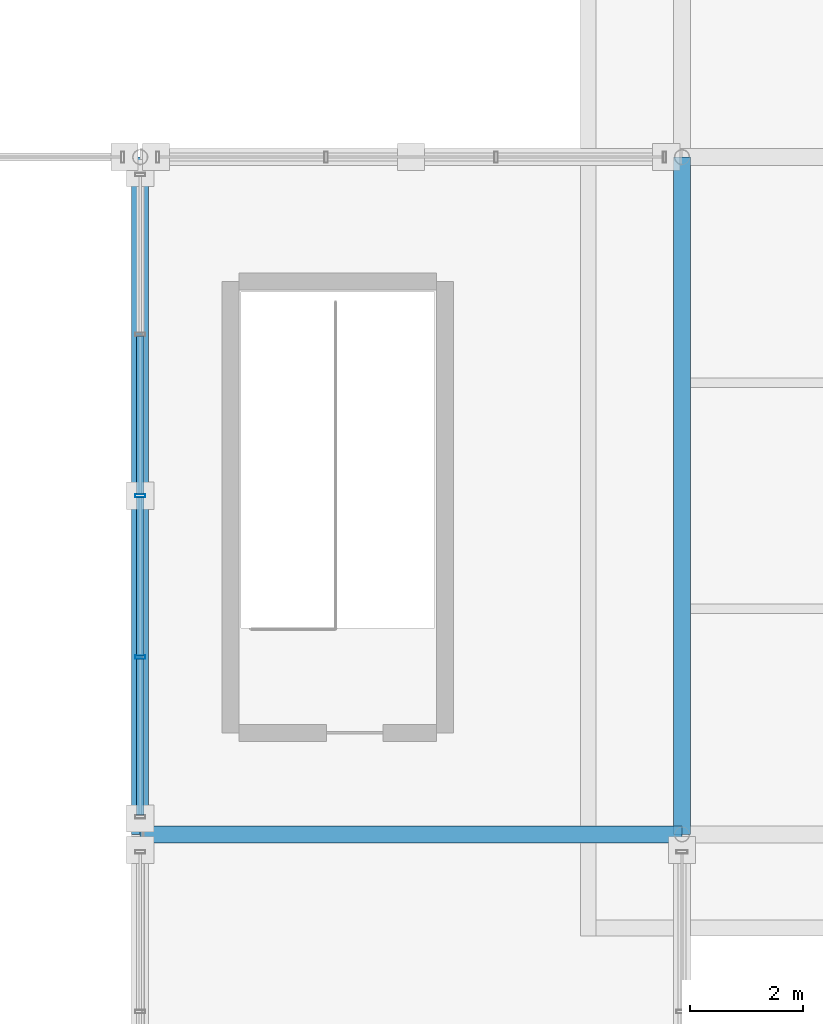
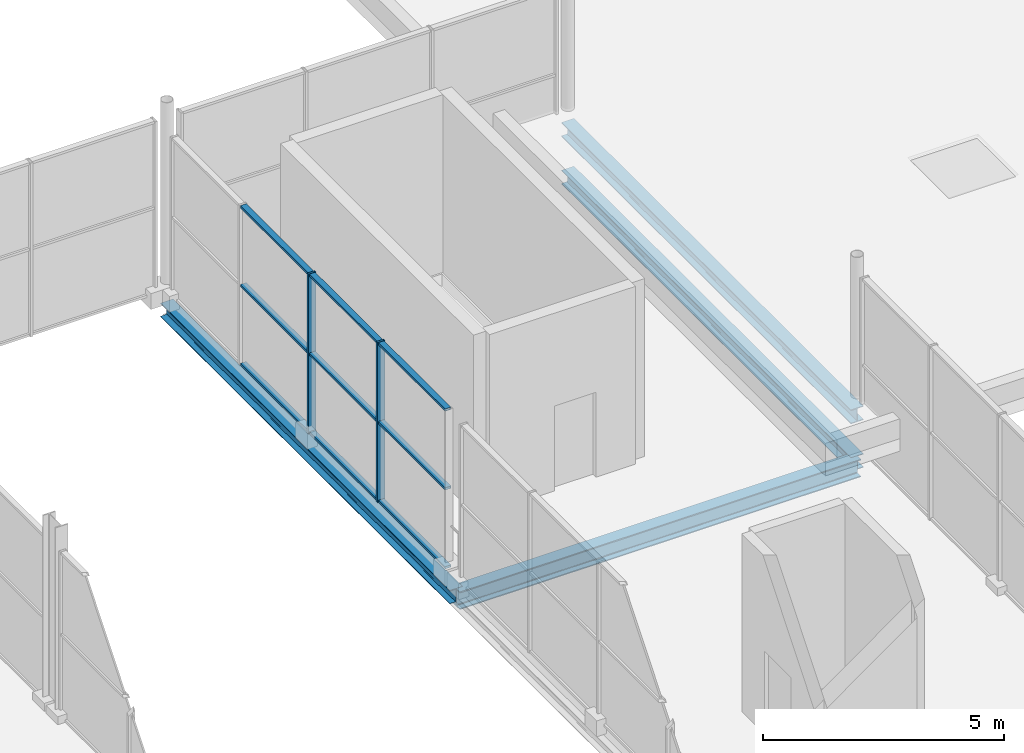
# One storey, part 93 of 159: 11 members, 4 beams, 1 element without a shape of its own.
"""IFC4 building model written with IfcOpenShell, lengths in metres."""

from ifc_helpers import new_model, si_unit, direction, frame, origin, origin_2d, place, context, subcontext, project, spatial, hollow_rectangle, i_section, extrude, material, material_profile, profile_set, type_object, element, aggregate, save


model = new_model("IFC4")

# Units and contexts
model_context = context("Model", 3, precision=1e-05, world=origin(), true_north=direction((0.0, 1.0)))
body_context = subcontext(model_context, "Body", "Model", "MODEL_VIEW")
ifc_project = project(units=[si_unit("LENGTHUNIT", "METRE"), si_unit("AREAUNIT", "SQUARE_METRE"), si_unit("VOLUMEUNIT", "CUBIC_METRE"), si_unit("PLANEANGLEUNIT", "RADIAN"), si_unit("MASSUNIT", "GRAM", prefix="KILO")], contexts=[model_context])

# Site, building, storey
site_placement = place(None, origin())
site = spatial("IfcSite", under=ifc_project, at=site_placement, CompositionType="ELEMENT")
building_placement = place(site_placement, origin())
building = spatial("IfcBuilding", under=site, at=building_placement, Name="Merenkruunu Market Hall", CompositionType="ELEMENT")
storey_placement = place(building_placement, frame((0.0, 0.0, 5.39990234375)))
storey = spatial("IfcBuildingStorey", under=building, at=storey_placement, Name="L01", CompositionType="ELEMENT", Elevation=5.39990234375)

# Curtain wall, members
ifc_material_1 = material(Name="Powder-coated aluminium", Category="aluminium")
curtain_wall_type = type_object("IfcCurtainWallType", Name="Glazed Curtain Wall CW16", PredefinedType="USERDEFINED", material=ifc_material_1)
curtain_wall_placement = place(storey_placement, origin())
curtain_wall = element("IfcCurtainWall", 1, at=curtain_wall_placement, inside=storey, type_object=curtain_wall_type, Name="CW-L01-CWM02-179", ObjectType="GLAZED_FACADE", PredefinedType="USERDEFINED")
ifc_material_profile_1 = material_profile(ifc_material_1, hollow_rectangle(XDim=0.06005859375, YDim=0.179931640625, WallThickness=0.00390625, at=origin_2d()), Name="ALU 60x180x4")
ifc_profile_set_1 = profile_set([ifc_material_profile_1], Name="Powder-coated aluminium")
member_type_1 = type_object("IfcMemberType", Name="Curtain Wall Mullion CWM02", PredefinedType="MULLION", material=ifc_profile_set_1)
member_1_placement = place(storey_placement, frame((67.199951171875, 90.739990234375, 0.0), z_axis=(0.0, 0.0, 1.0), x_axis=(0.0, 1.0, 0.0)))
member_1 = element("IfcMember", 2, at=member_1_placement, type_object=member_type_1, Name="CW16 mullion 2", PredefinedType="MULLION", context=body_context, shape_type="SweptSolid", body=[
    extrude(hollow_rectangle(XDim=0.06005859375, YDim=0.179931640625, WallThickness=0.00390625, at=origin_2d()), origin(), (0.0, 0.0, 1.0), 4.050048828125),
])
member_2_placement = place(storey_placement, frame((67.199951171875, 93.60009765625, 0.0), z_axis=(0.0, 0.0, 1.0), x_axis=(0.0, 1.0, 0.0)))
member_2 = element("IfcMember", 3, at=member_2_placement, type_object=member_type_1, Name="CW16 mullion 3", PredefinedType="MULLION", context=body_context, shape_type="SweptSolid", body=[
    extrude(hollow_rectangle(XDim=0.06005859375, YDim=0.179931640625, WallThickness=0.00390625, at=origin_2d()), origin(), (0.0, 0.0, 1.0), 4.050048828125),
])
ifc_material_profile_2 = material_profile(ifc_material_1, hollow_rectangle(XDim=0.06005859375, YDim=0.139892578125, WallThickness=0.00390625, at=origin_2d()), Name="ALU 60x140x4")
ifc_profile_set_2 = profile_set([ifc_material_profile_2], Name="Powder-coated aluminium")
member_type_2 = type_object("IfcMemberType", Name="Curtain Wall Transom CWT02", PredefinedType="USERDEFINED", material=ifc_profile_set_2)
member_3_placement = place(storey_placement, frame((67.199951171875, 87.93994140625, 0.030029296875), z_axis=(0.0, 1.0, 0.0), x_axis=(0.0, 0.0, 1.0)))
member_3 = element("IfcMember", 4, at=member_3_placement, type_object=member_type_2, Name="CW16 transom 1.1", ObjectType="TRANSOM", PredefinedType="USERDEFINED", context=body_context, shape_type="SweptSolid", body=[
    extrude(hollow_rectangle(XDim=0.06005859375, YDim=0.139892578125, WallThickness=0.00390625, at=origin_2d()), origin(), (0.0, 0.0, 1.0), 2.77001953125),
])
member_4_placement = place(storey_placement, frame((67.199951171875, 87.93994140625, 2.025146484375), z_axis=(0.0, 1.0, 0.0), x_axis=(0.0, 0.0, 1.0)))
member_4 = element("IfcMember", 5, at=member_4_placement, type_object=member_type_2, Name="CW16 transom 1.2", ObjectType="TRANSOM", PredefinedType="USERDEFINED", context=body_context, shape_type="SweptSolid", body=[
    extrude(hollow_rectangle(XDim=0.06005859375, YDim=0.139892578125, WallThickness=0.00390625, at=origin_2d()), origin(), (0.0, 0.0, 1.0), 2.77001953125),
])
member_5_placement = place(storey_placement, frame((67.199951171875, 87.93994140625, 4.02001953125), z_axis=(0.0, 1.0, 0.0), x_axis=(0.0, 0.0, 1.0)))
member_5 = element("IfcMember", 6, at=member_5_placement, type_object=member_type_2, Name="CW16 transom 1.3", ObjectType="TRANSOM", PredefinedType="USERDEFINED", context=body_context, shape_type="SweptSolid", body=[
    extrude(hollow_rectangle(XDim=0.06005859375, YDim=0.139892578125, WallThickness=0.00390625, at=origin_2d()), origin(), (0.0, 0.0, 1.0), 2.77001953125),
])
member_6_placement = place(storey_placement, frame((67.199951171875, 90.77001953125, 0.030029296875), z_axis=(0.0, 1.0, 0.0), x_axis=(0.0, 0.0, 1.0)))
member_6 = element("IfcMember", 7, at=member_6_placement, type_object=member_type_2, Name="CW16 transom 2.1", ObjectType="TRANSOM", PredefinedType="USERDEFINED", context=body_context, shape_type="SweptSolid", body=[
    extrude(hollow_rectangle(XDim=0.06005859375, YDim=0.139892578125, WallThickness=0.00390625, at=origin_2d()), origin(), (0.0, 0.0, 1.0), 2.800048828125),
])
member_7_placement = place(storey_placement, frame((67.199951171875, 90.77001953125, 2.025146484375), z_axis=(0.0, 1.0, 0.0), x_axis=(0.0, 0.0, 1.0)))
member_7 = element("IfcMember", 8, at=member_7_placement, type_object=member_type_2, Name="CW16 transom 2.2", ObjectType="TRANSOM", PredefinedType="USERDEFINED", context=body_context, shape_type="SweptSolid", body=[
    extrude(hollow_rectangle(XDim=0.06005859375, YDim=0.139892578125, WallThickness=0.00390625, at=origin_2d()), origin(), (0.0, 0.0, 1.0), 2.800048828125),
])
member_8_placement = place(storey_placement, frame((67.199951171875, 90.77001953125, 4.02001953125), z_axis=(0.0, 1.0, 0.0), x_axis=(0.0, 0.0, 1.0)))
member_8 = element("IfcMember", 9, at=member_8_placement, type_object=member_type_2, Name="CW16 transom 2.3", ObjectType="TRANSOM", PredefinedType="USERDEFINED", context=body_context, shape_type="SweptSolid", body=[
    extrude(hollow_rectangle(XDim=0.06005859375, YDim=0.139892578125, WallThickness=0.00390625, at=origin_2d()), origin(), (0.0, 0.0, 1.0), 2.800048828125),
])
member_9_placement = place(storey_placement, frame((67.199951171875, 93.6298828125, 0.030029296875), z_axis=(0.0, 1.0, 0.0), x_axis=(0.0, 0.0, 1.0)))
member_9 = element("IfcMember", 10, at=member_9_placement, type_object=member_type_2, Name="CW16 transom 3.1", ObjectType="TRANSOM", PredefinedType="USERDEFINED", context=body_context, shape_type="SweptSolid", body=[
    extrude(hollow_rectangle(XDim=0.06005859375, YDim=0.139892578125, WallThickness=0.00390625, at=origin_2d()), origin(), (0.0, 0.0, 1.0), 2.800048828125),
])
member_10_placement = place(storey_placement, frame((67.199951171875, 93.6298828125, 2.025146484375), z_axis=(0.0, 1.0, 0.0), x_axis=(0.0, 0.0, 1.0)))
member_10 = element("IfcMember", 11, at=member_10_placement, type_object=member_type_2, Name="CW16 transom 3.2", ObjectType="TRANSOM", PredefinedType="USERDEFINED", context=body_context, shape_type="SweptSolid", body=[
    extrude(hollow_rectangle(XDim=0.06005859375, YDim=0.139892578125, WallThickness=0.00390625, at=origin_2d()), origin(), (0.0, 0.0, 1.0), 2.800048828125),
])
member_11_placement = place(storey_placement, frame((67.199951171875, 93.6298828125, 4.02001953125), z_axis=(0.0, 1.0, 0.0), x_axis=(0.0, 0.0, 1.0)))
member_11 = element("IfcMember", 12, at=member_11_placement, type_object=member_type_2, Name="CW16 transom 3.3", ObjectType="TRANSOM", PredefinedType="USERDEFINED", context=body_context, shape_type="SweptSolid", body=[
    extrude(hollow_rectangle(XDim=0.06005859375, YDim=0.139892578125, WallThickness=0.00390625, at=origin_2d()), origin(), (0.0, 0.0, 1.0), 2.800048828125),
])
aggregate(curtain_wall, [member_1, member_2, member_3, member_4, member_5, member_6, member_7, member_8, member_9, member_10, member_11])

# Beams
ifc_material_2 = material(Name="Steel S355J2", Category="steel")
ifc_material_profile_3 = material_profile(ifc_material_2, i_section(OverallWidth=0.300048828125, OverallDepth=0.449951171875, WebThickness=0.013916015625, FlangeThickness=0.02587890625, FilletRadius=0.027099609375, at=origin_2d()), Name="HEB 450")
ifc_profile_set_3 = profile_set([ifc_material_profile_3], Name="Steel S355J2")
beam_type_1 = type_object("IfcBeamType", Name="Primary Floor Girder B03", PredefinedType="BEAM", material=ifc_profile_set_3)
beam_1_placement = place(storey_placement, frame((67.199951171875, 87.60009765625, -0.534912109375), z_axis=(1.0, 0.0, 0.0), x_axis=(0.0, 1.0, 0.0)))
element("IfcBeam", 13, at=beam_1_placement, inside=storey, type_object=beam_type_1, Name="BM-L01-B03-0538", PredefinedType="BEAM", context=body_context, shape_type="SweptSolid", body=[
    extrude(i_section(OverallWidth=0.300048828125, OverallDepth=0.449951171875, WebThickness=0.013916015625, FlangeThickness=0.02587890625, FilletRadius=0.027099609375, at=origin_2d()), origin(), (0.0, 0.0, 1.0), 9.60009765625),
])
ifc_material_profile_4 = material_profile(ifc_material_2, i_section(OverallWidth=0.300048828125, OverallDepth=0.360107421875, WebThickness=0.012451171875, FlangeThickness=0.0224609375, FilletRadius=0.027099609375, at=origin_2d()), Name="HEB 360")
ifc_profile_set_4 = profile_set([ifc_material_profile_4], Name="Steel S355J2")
beam_type_2 = type_object("IfcBeamType", Name="Primary Floor Girder B04", PredefinedType="BEAM", material=ifc_profile_set_4)
beam_2_placement = place(storey_placement, frame((76.800048828125, 87.60009765625, 0.72021484375), z_axis=(0.0, 1.0, 0.0), x_axis=(-1.0, 0.0, 0.0)))
element("IfcBeam", 14, at=beam_2_placement, inside=storey, type_object=beam_type_2, Name="BM-L01-B04-0985", PredefinedType="BEAM", context=body_context, shape_type="SweptSolid", body=[
    extrude(i_section(OverallWidth=0.300048828125, OverallDepth=0.360107421875, WebThickness=0.012451171875, FlangeThickness=0.0224609375, FilletRadius=0.027099609375, at=origin_2d()), origin(), (0.0, 0.0, 1.0), 12.0),
])
ifc_material_profile_5 = material_profile(ifc_material_2, i_section(OverallWidth=0.300048828125, OverallDepth=0.35009765625, WebThickness=0.010009765625, FlangeThickness=0.017578125, FilletRadius=0.027099609375, at=origin_2d()), Name="HEA 360")
ifc_profile_set_5 = profile_set([ifc_material_profile_5], Name="Steel S355J2")
beam_type_3 = type_object("IfcBeamType", Name="Primary Floor Girder B08", PredefinedType="BEAM", material=ifc_profile_set_5)
for number, where, z_axis, x_axis, name in (
    (15, (67.199951171875, 87.60009765625, -0.48486328125), (0.0, 1.0, 0.0), (-1.0, 0.0, 0.0), "BM-L01-B08-0596"),
    (16, (76.800048828125, 87.60009765625, -0.48486328125), (0.0, 1.0, 0.0), (-1.0, 0.0, 0.0), "BM-L01-B08-0604"),
):
    element("IfcBeam", number, at=place(storey_placement, frame(where, z_axis=z_axis, x_axis=x_axis)), inside=storey, type_object=beam_type_3, Name=name, PredefinedType="BEAM", context=body_context, shape_type="SweptSolid", body=[
        extrude(i_section(OverallWidth=0.300048828125, OverallDepth=0.35009765625, WebThickness=0.010009765625, FlangeThickness=0.017578125, FilletRadius=0.027099609375, at=origin_2d()), origin(), (0.0, 0.0, 1.0), 12.0),
    ])

save(model, "model.ifc")
